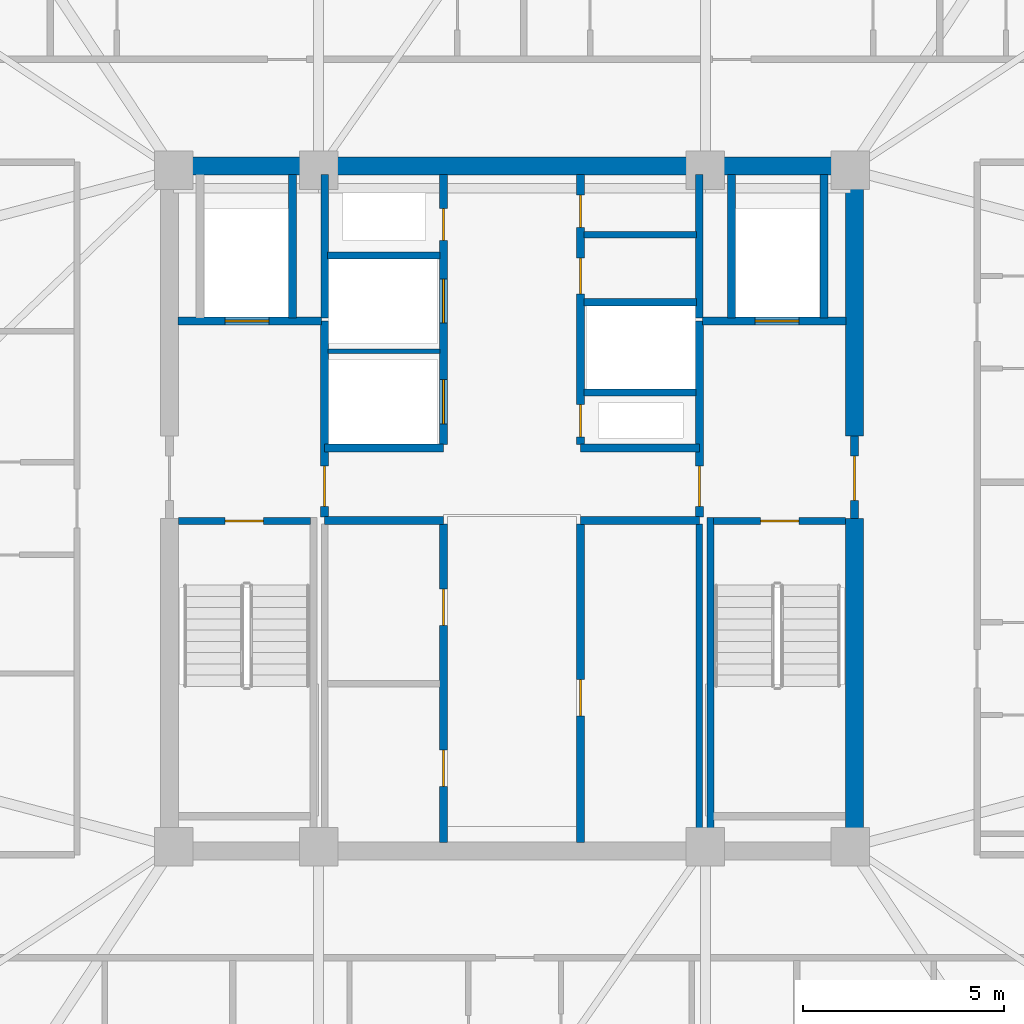
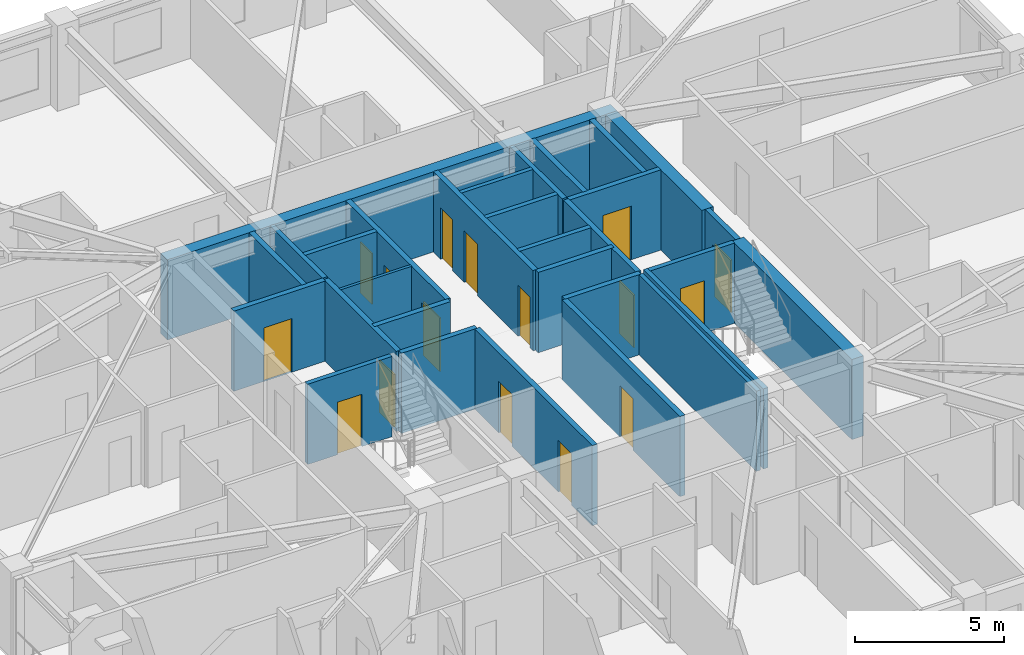
# One storey, part 9 of 16: 30 walls, 16 doors, 16 openings.
"""IFC4 building model written with IfcOpenShell, lengths in metres."""

from ifc_helpers import new_model, si_unit, direction, frame, frame_2d, origin, place, context, subcontext, project, spatial, rectangle, extrude, material, layer, layer_set, type_object, element, fill, save


model = new_model("IFC4")

# Units and contexts
model_context = context("Model", 3, precision=1e-05, world=origin(), true_north=direction((0.0, 1.0)))
body_context = subcontext(model_context, "Body", "Model", "MODEL_VIEW")
ifc_project = project(units=[si_unit("LENGTHUNIT", "METRE"), si_unit("AREAUNIT", "SQUARE_METRE"), si_unit("VOLUMEUNIT", "CUBIC_METRE"), si_unit("PLANEANGLEUNIT", "RADIAN"), si_unit("MASSUNIT", "GRAM", prefix="KILO")], contexts=[model_context])

# Site, building, storey
site_placement = place(None, origin())
site = spatial("IfcSite", under=ifc_project, at=site_placement, CompositionType="ELEMENT")
building_placement = place(site_placement, origin())
building = spatial("IfcBuilding", under=site, at=building_placement, Name="Cairnveth Concourse Tower", CompositionType="ELEMENT")
storey_placement = place(building_placement, frame((0.0, 0.0, 255.0)))
storey = spatial("IfcBuildingStorey", under=building, at=storey_placement, Name="L70", CompositionType="ELEMENT", Elevation=255.0)

# Walls
ifc_material_1 = material(Name="Gypsum Plasterboard Partition", Category="gypsum")
ifc_layer_1 = layer(ifc_material_1, 0.159912109375)
ifc_layer_set_1 = layer_set([ifc_layer_1], Name="Gypsum Plasterboard Partition")
wall_type_1 = type_object("IfcWallType", Name="ACOUSTIC PARTY WALL 180", PredefinedType="PARTITIONING", material=ifc_layer_set_1)
wall_1_placement = place(storey_placement, frame((56.64990234375, 30.7099609375, 0.0), z_axis=(0.0, 0.0, 1.0), x_axis=(0.0, 1.0, 0.0)))
element("IfcWall", 1, at=wall_1_placement, inside=storey, type_object=wall_type_1, Name="Interior Wall IW-L70-027", PredefinedType="PARTITIONING", context=body_context, shape_type="SweptSolid", body=[
    extrude(rectangle(XDim=7.905029296875, YDim=0.159912109375, at=frame_2d((3.95263671875, 0.0))), origin(), (0.0, 0.0, 1.0), 3.2900390625),
])
wall_2_placement = place(storey_placement, frame((53.784912109375, 45.800048828125, 0.0), z_axis=(0.0, 0.0, 1.0), x_axis=(1.0, 0.0, 0.0)))
element("IfcWall", 2, at=wall_2_placement, inside=storey, type_object=wall_type_1, Name="Interior Wall IW-L70-034", PredefinedType="PARTITIONING", context=body_context, shape_type="SweptSolid", body=[
    extrude(rectangle(XDim=2.7900390625, YDim=0.159912109375, at=frame_2d((1.39501953125, 0.0))), origin(), (0.0, 0.0, 1.0), 3.2900390625),
])
ifc_material_2 = material(Name="Concrete N65 (65 MPa)", Category="concrete")
ifc_layer_2 = layer(ifc_material_2, 0.449951171875)
ifc_layer_set_2 = layer_set([ifc_layer_2], Name="Concrete N65 (65 MPa)")
wall_type_2 = type_object("IfcWallType", Name="CORE SHEAR WALL 450", PredefinedType="SHEAR", material=ifc_layer_set_2)
wall_3_placement = place(storey_placement, frame((43.27490234375, 47.5, 0.0), z_axis=(0.0, 0.0, 1.0), x_axis=(1.0, 0.0, 0.0)))
element("IfcWall", 3, at=wall_3_placement, inside=storey, type_object=wall_type_2, Name="Core North Shear Wall L70", PredefinedType="SHEAR", context=body_context, shape_type="SweptSolid", body=[
    extrude(rectangle(XDim=17.4501953125, YDim=0.449951171875, at=frame_2d((8.72509765625, 0.0))), origin(), (0.0, 0.0, 1.0), 3.2900390625),
])
wall_4_placement = place(storey_placement, frame((60.5, 30.715087890625, 0.0), z_axis=(0.0, 0.0, 1.0), x_axis=(0.0, 1.0, 0.0)))
element("IfcWall", 4, at=wall_4_placement, inside=storey, type_object=wall_type_2, Name="Core East Shear Wall S L70", PredefinedType="SHEAR", context=body_context, shape_type="SweptSolid", body=[
    extrude(rectangle(XDim=8.034912109375, YDim=0.449951171875, at=frame_2d((4.017578125, 0.0))), origin(), (0.0, 0.0, 1.0), 3.2900390625),
])
wall_5_placement = place(storey_placement, frame((60.5, 40.800048828125, 0.0), z_axis=(0.0, 0.0, 1.0), x_axis=(0.0, 1.0, 0.0)))
element("IfcWall", 5, at=wall_5_placement, inside=storey, type_object=wall_type_2, Name="Core East Shear Wall N L70", PredefinedType="SHEAR", context=body_context, shape_type="SweptSolid", body=[
    extrude(rectangle(XDim=6.48486328125, YDim=0.449951171875, at=frame_2d((3.242431640625, 0.0))), origin(), (0.0, 0.0, 1.0), 3.2900390625),
])
ifc_material_3 = material(Name="Concrete N50 (50 MPa)", Category="concrete")
ifc_layer_3 = layer(ifc_material_3, 0.179931640625)
ifc_layer_set_3 = layer_set([ifc_layer_3], Name="Concrete N50 (50 MPa)")
wall_type_3 = type_object("IfcWallType", Name="FIRE SHAFT WALL 180", PredefinedType="SOLIDWALL", material=ifc_layer_set_3)
wall_6_placement = place(storey_placement, frame((47.35009765625, 43.735107421875, 0.0), z_axis=(0.0, 0.0, 1.0), x_axis=(0.0, 1.0, 0.0)))
element("IfcWall", 6, at=wall_6_placement, inside=storey, type_object=wall_type_3, Name="Interior Wall IW-L70-028", PredefinedType="SOLIDWALL", context=body_context, shape_type="SweptSolid", body=[
    extrude(rectangle(XDim=3.554931640625, YDim=0.179931640625, at=frame_2d((1.77734375, 0.0))), origin(), (0.0, 0.0, 1.0), 3.2900390625),
])
wall_7_placement = place(storey_placement, frame((47.425048828125, 45.280029296875, 0.0), z_axis=(0.0, 0.0, 1.0), x_axis=(1.0, 0.0, 0.0)))
element("IfcWall", 7, at=wall_7_placement, inside=storey, type_object=wall_type_3, Name="Interior Wall IW-L70-030", PredefinedType="SOLIDWALL", context=body_context, shape_type="SweptSolid", body=[
    extrude(rectangle(XDim=2.7900390625, YDim=0.179931640625, at=frame_2d((1.39501953125, 0.0))), origin(), (0.0, 0.0, 1.0), 3.2900390625),
])
wall_8_placement = place(storey_placement, frame((56.64990234375, 43.735107421875, 0.0), z_axis=(0.0, 0.0, 1.0), x_axis=(0.0, 1.0, 0.0)))
element("IfcWall", 8, at=wall_8_placement, inside=storey, type_object=wall_type_3, Name="Interior Wall IW-L70-031", PredefinedType="SOLIDWALL", context=body_context, shape_type="SweptSolid", body=[
    extrude(rectangle(XDim=3.554931640625, YDim=0.179931640625, at=frame_2d((1.77734375, 0.0))), origin(), (0.0, 0.0, 1.0), 3.2900390625),
])
wall_9_placement = place(storey_placement, frame((53.784912109375, 41.8798828125, 0.0), z_axis=(0.0, 0.0, 1.0), x_axis=(1.0, 0.0, 0.0)))
element("IfcWall", 9, at=wall_9_placement, inside=storey, type_object=wall_type_3, Name="Interior Wall IW-L70-032", PredefinedType="SOLIDWALL", context=body_context, shape_type="SweptSolid", body=[
    extrude(rectangle(XDim=2.780029296875, YDim=0.179931640625, at=frame_2d((1.39013671875, 0.0))), origin(), (0.0, 0.0, 1.0), 3.2900390625),
])
wall_10_placement = place(storey_placement, frame((53.784912109375, 44.1201171875, 0.0), z_axis=(0.0, 0.0, 1.0), x_axis=(1.0, 0.0, 0.0)))
element("IfcWall", 10, at=wall_10_placement, inside=storey, type_object=wall_type_3, Name="Interior Wall IW-L70-033", PredefinedType="SOLIDWALL", context=body_context, shape_type="SweptSolid", body=[
    extrude(rectangle(XDim=2.7900390625, YDim=0.179931640625, at=frame_2d((1.39501953125, 0.0))), origin(), (0.0, 0.0, 1.0), 3.2900390625),
])

# Wall, opening, door
wall_11_placement = place(storey_placement, frame((43.715087890625, 38.68994140625, 0.0), z_axis=(0.0, 0.0, 1.0), x_axis=(1.0, 0.0, 0.0)))
wall_11 = element("IfcWall", 11, at=wall_11_placement, inside=storey, type_object=wall_type_3, Name="Stair ST-1 Shaft Wall NEAR L70", PredefinedType="SOLIDWALL", context=body_context, shape_type="SweptSolid", body=[
    extrude(rectangle(XDim=3.280029296875, YDim=0.179931640625, at=frame_2d((1.64013671875, 0.0))), origin(), (0.0, 0.0, 1.0), 3.2900390625),
])
opening_1_placement = place(wall_11_placement, frame((1.1650390625, 0.0, 0.0)))
opening_1 = element("IfcOpeningElement", 12, at=opening_1_placement, cuts=wall_11, Name="Opening ID12", PredefinedType="OPENING", context=body_context, shape_type="SweptSolid", body=[
    extrude(rectangle(XDim=0.949951171875, YDim=2.14990234375, at=frame_2d((0.47509765625, 1.074951171875))), frame((0.0, 0.099853515625, 0.0), z_axis=(0.0, -1.0, 0.0), x_axis=(1.0, 0.0, 0.0)), (0.0, 0.0, 1.0), 0.199951171875),
])
ifc_material_4 = material(Name="Steel Grade 350", Category="steel")
door_type_1 = type_object("IfcDoorType", Name="FIRE STAIR DOOR 950X2150", OperationType="NOTDEFINED", PredefinedType="DOOR", material=ifc_material_4)
door_1_placement = place(opening_1_placement, origin())
door_1 = element("IfcDoor", 13, at=door_1_placement, inside=storey, type_object=door_type_1, Name="Stair ST-1 Fire Door L70", OperationType="SINGLE_SWING_LEFT", OverallHeight=2.14990234375, OverallWidth=0.949951171875, PredefinedType="DOOR", context=body_context, shape_type="SweptSolid", body=[
    extrude(rectangle(XDim=0.949951171875, YDim=2.14990234375, at=frame_2d((0.47509765625, 1.074951171875))), frame((0.0, 0.02490234375, 0.0), z_axis=(0.0, -1.0, 0.0), x_axis=(1.0, 0.0, 0.0)), (0.0, 0.0, 1.0), 0.050048828125),
])
fill(opening_1, door_1)

wall_12_placement = place(storey_placement, frame((57.0048828125, 38.68994140625, 0.0), z_axis=(0.0, 0.0, 1.0), x_axis=(1.0, 0.0, 0.0)))
wall_12 = element("IfcWall", 14, at=wall_12_placement, inside=storey, type_object=wall_type_3, Name="Stair ST-2 Shaft Wall NEAR L70", PredefinedType="SOLIDWALL", context=body_context, shape_type="SweptSolid", body=[
    extrude(rectangle(XDim=3.280029296875, YDim=0.179931640625, at=frame_2d((1.64013671875, 0.0))), origin(), (0.0, 0.0, 1.0), 3.2900390625),
])
opening_2_placement = place(wall_12_placement, frame((1.1650390625, 0.0, 0.0)))
opening_2 = element("IfcOpeningElement", 15, at=opening_2_placement, cuts=wall_12, Name="Opening ID12", PredefinedType="OPENING", context=body_context, shape_type="SweptSolid", body=[
    extrude(rectangle(XDim=0.949951171875, YDim=2.14990234375, at=frame_2d((0.47509765625, 1.074951171875))), frame((0.0, 0.099853515625, 0.0), z_axis=(0.0, -1.0, 0.0), x_axis=(1.0, 0.0, 0.0)), (0.0, 0.0, 1.0), 0.199951171875),
])
door_2_placement = place(opening_2_placement, origin())
door_2 = element("IfcDoor", 16, at=door_2_placement, inside=storey, type_object=door_type_1, Name="Stair ST-2 Fire Door L70", OperationType="SINGLE_SWING_RIGHT", OverallHeight=2.14990234375, OverallWidth=0.949951171875, PredefinedType="DOOR", context=body_context, shape_type="SweptSolid", body=[
    extrude(rectangle(XDim=0.949951171875, YDim=2.14990234375, at=frame_2d((0.47509765625, 1.074951171875))), frame((0.0, 0.02490234375, 0.0), z_axis=(0.0, -1.0, 0.0), x_axis=(1.0, 0.0, 0.0)), (0.0, 0.0, 1.0), 0.050048828125),
])
fill(opening_2, door_2)

# Walls
wall_13_placement = place(storey_placement, frame((56.929931640625, 38.780029296875, 0.0), z_axis=(0.0, 0.0, 1.0), x_axis=(0.0, -1.0, 0.0)))
element("IfcWall", 17, at=wall_13_placement, inside=storey, type_object=wall_type_3, Name="Stair ST-2 Shaft Wall LEFT L70", PredefinedType="SOLIDWALL", context=body_context, shape_type="SweptSolid", body=[
    extrude(rectangle(XDim=8.067138671875, YDim=0.179931640625, at=frame_2d((4.03369140625, 0.0))), origin(), (0.0, 0.0, 1.0), 3.2900390625),
])
ifc_layer_4 = layer(ifc_material_3, 0.199951171875)
ifc_layer_set_4 = layer_set([ifc_layer_4], Name="Concrete N50 (50 MPa)")
wall_type_4 = type_object("IfcWallType", Name="FIRE SHAFT WALL 200", PredefinedType="SOLIDWALL", material=ifc_layer_set_4)
for number, where, z_axis, x_axis, name in (
    (18, (47.35009765625, 38.699951171875, 0.0), (0.0, 0.0, 1.0), (1.0, 0.0, 0.0), "Interior Wall IW-L70-007"),
    (19, (47.35009765625, 40.5, 0.0), (0.0, 0.0, 1.0), (1.0, 0.0, 0.0), "Interior Wall IW-L70-008"),
    (20, (53.699951171875, 38.699951171875, 0.0), (0.0, 0.0, 1.0), (1.0, 0.0, 0.0), "Interior Wall IW-L70-009"),
    (21, (53.699951171875, 40.5, 0.0), (0.0, 0.0, 1.0), (1.0, 0.0, 0.0), "Interior Wall IW-L70-010"),
):
    element("IfcWall", number, at=place(storey_placement, frame(where, z_axis=z_axis, x_axis=x_axis)), inside=storey, type_object=wall_type_4, Name=name, PredefinedType="SOLIDWALL", context=body_context, shape_type="SweptSolid", body=[
        extrude(rectangle(XDim=2.949951171875, YDim=0.199951171875, at=frame_2d((1.47509765625, 0.0))), origin(), (0.0, 0.0, 1.0), 3.2900390625),
    ])

# Wall, openings, doors
wall_14_placement = place(storey_placement, frame((50.300048828125, 30.7099609375, 0.0), z_axis=(0.0, 0.0, 1.0), x_axis=(0.0, 1.0, 0.0)))
wall_14 = element("IfcWall", 22, at=wall_14_placement, inside=storey, type_object=wall_type_4, Name="Interior Wall IW-L70-011", PredefinedType="SOLIDWALL", context=body_context, shape_type="SweptSolid", body=[
    extrude(rectangle(XDim=7.905029296875, YDim=0.199951171875, at=frame_2d((3.95263671875, 0.0))), origin(), (0.0, 0.0, 1.0), 3.2900390625),
])
opening_3_placement = place(wall_14_placement, frame((1.389892578125, 0.0, 0.0)))
opening_3 = element("IfcOpeningElement", 23, at=opening_3_placement, cuts=wall_14, Name="Opening ID26", PredefinedType="OPENING", context=body_context, shape_type="SweptSolid", body=[
    extrude(rectangle(XDim=0.89990234375, YDim=2.1201171875, at=frame_2d((0.449951171875, 1.06005859375))), frame((0.0, 0.10986328125, 0.0), z_axis=(0.0, -1.0, 0.0), x_axis=(1.0, 0.0, 0.0)), (0.0, 0.0, 1.0), 0.219970703125),
])
opening_4_placement = place(wall_14_placement, frame((5.389892578125, 0.0, 0.0)))
opening_4 = element("IfcOpeningElement", 24, at=opening_4_placement, cuts=wall_14, Name="Opening ID26", PredefinedType="OPENING", context=body_context, shape_type="SweptSolid", body=[
    extrude(rectangle(XDim=0.89990234375, YDim=2.1201171875, at=frame_2d((0.449951171875, 1.06005859375))), frame((0.0, 0.10986328125, 0.0), z_axis=(0.0, -1.0, 0.0), x_axis=(1.0, 0.0, 0.0)), (0.0, 0.0, 1.0), 0.219970703125),
])
door_type_2 = type_object("IfcDoorType", Name="CORE TOILET FIRE DOOR 900X2120", OperationType="NOTDEFINED", PredefinedType="DOOR", material=ifc_material_4)
door_3_placement = place(opening_3_placement, origin())
door_3 = element("IfcDoor", 25, at=door_3_placement, inside=storey, type_object=door_type_2, Name="Male WC Door L70", OperationType="SINGLE_SWING_LEFT", OverallHeight=2.1201171875, OverallWidth=0.89990234375, PredefinedType="DOOR", context=body_context, shape_type="SweptSolid", body=[
    extrude(rectangle(XDim=0.89990234375, YDim=2.1201171875, at=frame_2d((0.449951171875, 1.06005859375))), frame((0.0, 0.02490234375, 0.0), z_axis=(0.0, -1.0, 0.0), x_axis=(1.0, 0.0, 0.0)), (0.0, 0.0, 1.0), 0.050048828125),
])
fill(opening_3, door_3)
door_4_placement = place(opening_4_placement, origin())
door_4 = element("IfcDoor", 26, at=door_4_placement, inside=storey, type_object=door_type_2, Name="Female WC Door L70", OperationType="SINGLE_SWING_RIGHT", OverallHeight=2.1201171875, OverallWidth=0.89990234375, PredefinedType="DOOR", context=body_context, shape_type="SweptSolid", body=[
    extrude(rectangle(XDim=0.89990234375, YDim=2.1201171875, at=frame_2d((0.449951171875, 1.06005859375))), frame((0.0, 0.02490234375, 0.0), z_axis=(0.0, -1.0, 0.0), x_axis=(1.0, 0.0, 0.0)), (0.0, 0.0, 1.0), 0.050048828125),
])
fill(opening_4, door_4)

# Wall, opening, door
wall_15_placement = place(storey_placement, frame((53.699951171875, 30.7099609375, 0.0), z_axis=(0.0, 0.0, 1.0), x_axis=(0.0, 1.0, 0.0)))
wall_15 = element("IfcWall", 27, at=wall_15_placement, inside=storey, type_object=wall_type_4, Name="Interior Wall IW-L70-012", PredefinedType="SOLIDWALL", context=body_context, shape_type="SweptSolid", body=[
    extrude(rectangle(XDim=7.905029296875, YDim=0.199951171875, at=frame_2d((3.95263671875, 0.0))), origin(), (0.0, 0.0, 1.0), 3.2900390625),
])
opening_5_placement = place(wall_15_placement, frame((3.139892578125, 0.0, 0.0)))
opening_5 = element("IfcOpeningElement", 28, at=opening_5_placement, cuts=wall_15, Name="Opening ID16", PredefinedType="OPENING", context=body_context, shape_type="SweptSolid", body=[
    extrude(rectangle(XDim=0.89990234375, YDim=2.1201171875, at=frame_2d((0.449951171875, 1.06005859375))), frame((0.0, 0.10986328125, 0.0), z_axis=(0.0, -1.0, 0.0), x_axis=(1.0, 0.0, 0.0)), (0.0, 0.0, 1.0), 0.219970703125),
])
door_type_3 = type_object("IfcDoorType", Name="CORE SERVICE DOOR 900X2100", OperationType="NOTDEFINED", PredefinedType="DOOR", material=ifc_material_4)
door_5_placement = place(opening_5_placement, origin())
door_5 = element("IfcDoor", 29, at=door_5_placement, inside=storey, type_object=door_type_3, Name="Sky Pantry Door L70", OperationType="SINGLE_SWING_LEFT", OverallHeight=2.1201171875, OverallWidth=0.89990234375, PredefinedType="DOOR", context=body_context, shape_type="SweptSolid", body=[
    extrude(rectangle(XDim=0.89990234375, YDim=2.1201171875, at=frame_2d((0.449951171875, 1.06005859375))), frame((0.0, 0.02490234375, 0.0), z_axis=(0.0, -1.0, 0.0), x_axis=(1.0, 0.0, 0.0)), (0.0, 0.0, 1.0), 0.050048828125),
])
fill(opening_5, door_5)

# Wall, openings, doors
wall_16_placement = place(storey_placement, frame((50.300048828125, 40.5849609375, 0.0), z_axis=(0.0, 0.0, 1.0), x_axis=(0.0, 1.0, 0.0)))
wall_16 = element("IfcWall", 30, at=wall_16_placement, inside=storey, type_object=wall_type_4, Name="Interior Wall IW-L70-013", PredefinedType="SOLIDWALL", context=body_context, shape_type="SweptSolid", body=[
    extrude(rectangle(XDim=6.705078125, YDim=0.199951171875, at=frame_2d((3.3525390625, 0.0))), origin(), (0.0, 0.0, 1.0), 3.2900390625),
])
opening_6_placement = place(wall_16_placement, frame((0.514892578125, 0.0, 0.0)))
opening_6 = element("IfcOpeningElement", 31, at=opening_6_placement, cuts=wall_16, Name="Opening LD-1", PredefinedType="OPENING", context=body_context, shape_type="SweptSolid", body=[
    extrude(rectangle(XDim=1.10009765625, YDim=2.199951171875, at=frame_2d((0.550048828125, 1.10009765625))), frame((0.0, 0.10986328125, 0.0), z_axis=(0.0, -1.0, 0.0), x_axis=(1.0, 0.0, 0.0)), (0.0, 0.0, 1.0), 0.219970703125),
])
opening_7_placement = place(wall_16_placement, frame((3.014892578125, 0.0, 0.0)))
opening_7 = element("IfcOpeningElement", 32, at=opening_7_placement, cuts=wall_16, Name="Opening LD-1", PredefinedType="OPENING", context=body_context, shape_type="SweptSolid", body=[
    extrude(rectangle(XDim=1.10009765625, YDim=2.199951171875, at=frame_2d((0.550048828125, 1.10009765625))), frame((0.0, 0.10986328125, 0.0), z_axis=(0.0, -1.0, 0.0), x_axis=(1.0, 0.0, 0.0)), (0.0, 0.0, 1.0), 0.219970703125),
])
opening_8_placement = place(wall_16_placement, frame((5.06494140625, 0.0, 0.0)))
opening_8 = element("IfcOpeningElement", 33, at=opening_8_placement, cuts=wall_16, Name="Opening ID24", PredefinedType="OPENING", context=body_context, shape_type="SweptSolid", body=[
    extrude(rectangle(XDim=0.800048828125, YDim=2.080078125, at=frame_2d((0.39990234375, 1.0400390625))), frame((0.0, 0.10986328125, 0.0), z_axis=(0.0, -1.0, 0.0), x_axis=(1.0, 0.0, 0.0)), (0.0, 0.0, 1.0), 0.219970703125),
])
ifc_material_5 = material(Name="Architectural Bronze Anodised Aluminium 6063-T6", Category="aluminium")
door_type_4 = type_object("IfcDoorType", Name="LIFT LANDING DOOR 1100X2200", OperationType="SLIDING_TO_LEFT", PredefinedType="DOOR", material=ifc_material_5)
door_6_placement = place(opening_6_placement, origin())
door_6 = element("IfcDoor", 34, at=door_6_placement, inside=storey, type_object=door_type_4, Name="Lift PL7 Landing Door L70", OperationType="SLIDING_TO_LEFT", OverallHeight=2.199951171875, OverallWidth=1.10009765625, PredefinedType="DOOR", context=body_context, shape_type="SweptSolid", body=[
    extrude(rectangle(XDim=1.10009765625, YDim=2.199951171875, at=frame_2d((0.550048828125, 1.10009765625))), frame((0.0, 0.02490234375, 0.0), z_axis=(0.0, -1.0, 0.0), x_axis=(1.0, 0.0, 0.0)), (0.0, 0.0, 1.0), 0.050048828125),
])
fill(opening_6, door_6)
door_7_placement = place(opening_7_placement, origin())
door_7 = element("IfcDoor", 35, at=door_7_placement, inside=storey, type_object=door_type_4, Name="Lift PL8 Landing Door L70", OperationType="SLIDING_TO_LEFT", OverallHeight=2.199951171875, OverallWidth=1.10009765625, PredefinedType="DOOR", context=body_context, shape_type="SweptSolid", body=[
    extrude(rectangle(XDim=1.10009765625, YDim=2.199951171875, at=frame_2d((0.550048828125, 1.10009765625))), frame((0.0, 0.02490234375, 0.0), z_axis=(0.0, -1.0, 0.0), x_axis=(1.0, 0.0, 0.0)), (0.0, 0.0, 1.0), 0.050048828125),
])
fill(opening_7, door_7)
door_type_5 = type_object("IfcDoorType", Name="RISER ACCESS DOOR 800X2100", OperationType="NOTDEFINED", PredefinedType="DOOR", material=ifc_material_4)
door_8_placement = place(opening_8_placement, origin())
door_8 = element("IfcDoor", 36, at=door_8_placement, inside=storey, type_object=door_type_5, Name="NW Electrical Riser Access Door L70", OperationType="SINGLE_SWING_RIGHT", OverallHeight=2.080078125, OverallWidth=0.800048828125, PredefinedType="DOOR", context=body_context, shape_type="SweptSolid", body=[
    extrude(rectangle(XDim=0.800048828125, YDim=2.080078125, at=frame_2d((0.39990234375, 1.0400390625))), frame((0.0, 0.02490234375, 0.0), z_axis=(0.0, -1.0, 0.0), x_axis=(1.0, 0.0, 0.0)), (0.0, 0.0, 1.0), 0.050048828125),
])
fill(opening_8, door_8)

wall_17_placement = place(storey_placement, frame((53.699951171875, 40.5849609375, 0.0), z_axis=(0.0, 0.0, 1.0), x_axis=(0.0, 1.0, 0.0)))
wall_17 = element("IfcWall", 37, at=wall_17_placement, inside=storey, type_object=wall_type_4, Name="Interior Wall IW-L70-014", PredefinedType="SOLIDWALL", context=body_context, shape_type="SweptSolid", body=[
    extrude(rectangle(XDim=6.705078125, YDim=0.199951171875, at=frame_2d((3.3525390625, 0.0))), origin(), (0.0, 0.0, 1.0), 3.2900390625),
])
opening_9_placement = place(wall_17_placement, frame((0.195068359375, 0.0, 0.0)))
opening_9 = element("IfcOpeningElement", 38, at=opening_9_placement, cuts=wall_17, Name="Opening ID24", PredefinedType="OPENING", context=body_context, shape_type="SweptSolid", body=[
    extrude(rectangle(XDim=0.800048828125, YDim=2.080078125, at=frame_2d((0.39990234375, 1.0400390625))), frame((0.0, 0.10986328125, 0.0), z_axis=(0.0, -1.0, 0.0), x_axis=(1.0, 0.0, 0.0)), (0.0, 0.0, 1.0), 0.219970703125),
])
opening_10_placement = place(wall_17_placement, frame((3.735107421875, 0.0, 0.0)))
opening_10 = element("IfcOpeningElement", 39, at=opening_10_placement, cuts=wall_17, Name="Opening ID26", PredefinedType="OPENING", context=body_context, shape_type="SweptSolid", body=[
    extrude(rectangle(XDim=0.89990234375, YDim=2.1201171875, at=frame_2d((0.449951171875, 1.06005859375))), frame((0.0, 0.10986328125, 0.0), z_axis=(0.0, -1.0, 0.0), x_axis=(1.0, 0.0, 0.0)), (0.0, 0.0, 1.0), 0.219970703125),
])
opening_11_placement = place(wall_17_placement, frame((5.39501953125, 0.0, 0.0)))
opening_11 = element("IfcOpeningElement", 40, at=opening_11_placement, cuts=wall_17, Name="Opening ID23", PredefinedType="OPENING", context=body_context, shape_type="SweptSolid", body=[
    extrude(rectangle(XDim=0.800048828125, YDim=2.10009765625, at=frame_2d((0.39990234375, 1.050048828125))), frame((0.0, 0.10986328125, 0.0), z_axis=(0.0, -1.0, 0.0), x_axis=(1.0, 0.0, 0.0)), (0.0, 0.0, 1.0), 0.219970703125),
])
door_type_6 = type_object("IfcDoorType", Name="CORE SERVICE DOOR 800X2100", OperationType="NOTDEFINED", PredefinedType="DOOR", material=ifc_material_4)
door_9_placement = place(opening_11_placement, origin())
door_9 = element("IfcDoor", 41, at=door_9_placement, inside=storey, type_object=door_type_6, Name="Core NE Cleaners Door L70", OperationType="SINGLE_SWING_LEFT", OverallHeight=2.10009765625, OverallWidth=0.800048828125, PredefinedType="DOOR", context=body_context, shape_type="SweptSolid", body=[
    extrude(rectangle(XDim=0.800048828125, YDim=2.10009765625, at=frame_2d((0.39990234375, 1.050048828125))), frame((0.0, 0.02490234375, 0.0), z_axis=(0.0, -1.0, 0.0), x_axis=(1.0, 0.0, 0.0)), (0.0, 0.0, 1.0), 0.050048828125),
])
fill(opening_11, door_9)
door_10_placement = place(opening_10_placement, origin())
door_10 = element("IfcDoor", 42, at=door_10_placement, inside=storey, type_object=door_type_2, Name="Core NE Unisex WC Door L70", OperationType="SINGLE_SWING_RIGHT", OverallHeight=2.1201171875, OverallWidth=0.89990234375, PredefinedType="DOOR", context=body_context, shape_type="SweptSolid", body=[
    extrude(rectangle(XDim=0.89990234375, YDim=2.1201171875, at=frame_2d((0.449951171875, 1.06005859375))), frame((0.0, 0.02490234375, 0.0), z_axis=(0.0, -1.0, 0.0), x_axis=(1.0, 0.0, 0.0)), (0.0, 0.0, 1.0), 0.050048828125),
])
fill(opening_10, door_10)
door_11_placement = place(opening_9_placement, origin())
door_11 = element("IfcDoor", 43, at=door_11_placement, inside=storey, type_object=door_type_5, Name="Hydraulic Riser Door L70", OperationType="SINGLE_SWING_LEFT", OverallHeight=2.080078125, OverallWidth=0.800048828125, PredefinedType="DOOR", context=body_context, shape_type="SweptSolid", body=[
    extrude(rectangle(XDim=0.800048828125, YDim=2.080078125, at=frame_2d((0.39990234375, 1.0400390625))), frame((0.0, 0.02490234375, 0.0), z_axis=(0.0, -1.0, 0.0), x_axis=(1.0, 0.0, 0.0)), (0.0, 0.0, 1.0), 0.050048828125),
])
fill(opening_9, door_11)

# Wall, opening, door
wall_18_placement = place(storey_placement, frame((47.35009765625, 38.784912109375, 0.0), z_axis=(0.0, 0.0, 1.0), x_axis=(0.0, 1.0, 0.0)))
wall_18 = element("IfcWall", 44, at=wall_18_placement, inside=storey, type_object=wall_type_4, Name="Interior Wall IW-L70-016", PredefinedType="SOLIDWALL", context=body_context, shape_type="SweptSolid", body=[
    extrude(rectangle(XDim=4.864990234375, YDim=0.199951171875, at=frame_2d((2.4326171875, 0.0))), origin(), (0.0, 0.0, 1.0), 3.2900390625),
])
opening_12_placement = place(wall_18_placement, frame((0.264892578125, 0.0, 0.0)))
opening_12 = element("IfcOpeningElement", 45, at=opening_12_placement, cuts=wall_18, Name="Opening ID07", PredefinedType="OPENING", context=body_context, shape_type="SweptSolid", body=[
    extrude(rectangle(XDim=1.0, YDim=2.14990234375, at=frame_2d((0.5, 1.074951171875))), frame((0.0, 0.10986328125, 0.0), z_axis=(0.0, -1.0, 0.0), x_axis=(1.0, 0.0, 0.0)), (0.0, 0.0, 1.0), 0.219970703125),
])
door_type_7 = type_object("IfcDoorType", Name="FIRE CORRIDOR DOOR 1000X2150", OperationType="NOTDEFINED", PredefinedType="DOOR", material=ifc_material_4)
door_12_placement = place(opening_12_placement, origin())
door_12 = element("IfcDoor", 46, at=door_12_placement, inside=storey, type_object=door_type_7, Name="FF Lobby West to Lift Lobby Door L70", OperationType="SINGLE_SWING_RIGHT", OverallHeight=2.14990234375, OverallWidth=1.0, PredefinedType="DOOR", context=body_context, shape_type="SweptSolid", body=[
    extrude(rectangle(XDim=1.0, YDim=2.14990234375, at=frame_2d((0.5, 1.074951171875))), frame((0.0, 0.02490234375, 0.0), z_axis=(0.0, -1.0, 0.0), x_axis=(1.0, 0.0, 0.0)), (0.0, 0.0, 1.0), 0.050048828125),
])
fill(opening_12, door_12)

wall_19_placement = place(storey_placement, frame((43.7099609375, 43.64990234375, 0.0), z_axis=(0.0, 0.0, 1.0), x_axis=(1.0, 0.0, 0.0)))
wall_19 = element("IfcWall", 47, at=wall_19_placement, inside=storey, type_object=wall_type_4, Name="Interior Wall IW-L70-017", PredefinedType="SOLIDWALL", context=body_context, shape_type="SweptSolid", body=[
    extrude(rectangle(XDim=3.554931640625, YDim=0.199951171875, at=frame_2d((1.77734375, 0.0))), origin(), (0.0, 0.0, 1.0), 3.2900390625),
])
opening_13_placement = place(wall_19_placement, frame((1.159912109375, 0.0, 0.0)))
opening_13 = element("IfcOpeningElement", 48, at=opening_13_placement, cuts=wall_19, Name="Opening LD-1", PredefinedType="OPENING", context=body_context, shape_type="SweptSolid", body=[
    extrude(rectangle(XDim=1.10009765625, YDim=2.199951171875, at=frame_2d((0.550048828125, 1.10009765625))), frame((0.0, 0.10986328125, 0.0), z_axis=(0.0, -1.0, 0.0), x_axis=(1.0, 0.0, 0.0)), (0.0, 0.0, 1.0), 0.219970703125),
])
door_13_placement = place(opening_13_placement, origin())
door_13 = element("IfcDoor", 49, at=door_13_placement, inside=storey, type_object=door_type_4, Name="Lift FFL1 Landing Door L70", OperationType="SLIDING_TO_LEFT", OverallHeight=2.199951171875, OverallWidth=1.10009765625, PredefinedType="DOOR", context=body_context, shape_type="SweptSolid", body=[
    extrude(rectangle(XDim=1.10009765625, YDim=2.199951171875, at=frame_2d((0.550048828125, 1.10009765625))), frame((0.0, 0.02490234375, 0.0), z_axis=(0.0, -1.0, 0.0), x_axis=(1.0, 0.0, 0.0)), (0.0, 0.0, 1.0), 0.050048828125),
])
fill(opening_13, door_13)

# Wall
wall_20_placement = place(storey_placement, frame((46.550048828125, 43.735107421875, 0.0), z_axis=(0.0, 0.0, 1.0), x_axis=(0.0, 1.0, 0.0)))
element("IfcWall", 50, at=wall_20_placement, inside=storey, type_object=wall_type_4, Name="Interior Wall IW-L70-018", PredefinedType="SOLIDWALL", context=body_context, shape_type="SweptSolid", body=[
    extrude(rectangle(XDim=3.554931640625, YDim=0.199951171875, at=frame_2d((1.77734375, 0.0))), origin(), (0.0, 0.0, 1.0), 3.2900390625),
])

# Wall, opening, door
wall_21_placement = place(storey_placement, frame((60.5, 38.75, 0.0), z_axis=(0.0, 0.0, 1.0), x_axis=(0.0, 1.0, 0.0)))
wall_21 = element("IfcWall", 51, at=wall_21_placement, inside=storey, type_object=wall_type_4, Name="Interior Wall IW-L70-020", PredefinedType="SOLIDWALL", context=body_context, shape_type="SweptSolid", body=[
    extrude(rectangle(XDim=2.050048828125, YDim=0.199951171875, at=frame_2d((1.02490234375, 0.0))), origin(), (0.0, 0.0, 1.0), 3.2900390625),
])
opening_14_placement = place(wall_21_placement, frame((0.449951171875, 0.0, 0.0)))
opening_14 = element("IfcOpeningElement", 52, at=opening_14_placement, cuts=wall_21, Name="Opening ID06", PredefinedType="OPENING", context=body_context, shape_type="SweptSolid", body=[
    extrude(rectangle(XDim=1.10009765625, YDim=2.14990234375, at=frame_2d((0.550048828125, 1.074951171875))), frame((0.0, 0.10986328125, 0.0), z_axis=(0.0, -1.0, 0.0), x_axis=(1.0, 0.0, 0.0)), (0.0, 0.0, 1.0), 0.219970703125),
])
door_type_8 = type_object("IfcDoorType", Name="FIRE CORRIDOR DOOR 1100X2150", OperationType="NOTDEFINED", PredefinedType="DOOR", material=ifc_material_4)
door_14_placement = place(opening_14_placement, origin())
door_14 = element("IfcDoor", 53, at=door_14_placement, inside=storey, type_object=door_type_8, Name="East Wing to FF Lobby Door L70", OperationType="SINGLE_SWING_RIGHT", OverallHeight=2.14990234375, OverallWidth=1.10009765625, PredefinedType="DOOR", context=body_context, shape_type="SweptSolid", body=[
    extrude(rectangle(XDim=1.10009765625, YDim=2.14990234375, at=frame_2d((0.550048828125, 1.074951171875))), frame((0.0, 0.02490234375, 0.0), z_axis=(0.0, -1.0, 0.0), x_axis=(1.0, 0.0, 0.0)), (0.0, 0.0, 1.0), 0.050048828125),
])
fill(opening_14, door_14)

wall_22_placement = place(storey_placement, frame((56.64990234375, 38.784912109375, 0.0), z_axis=(0.0, 0.0, 1.0), x_axis=(0.0, 1.0, 0.0)))
wall_22 = element("IfcWall", 54, at=wall_22_placement, inside=storey, type_object=wall_type_4, Name="Interior Wall IW-L70-021", PredefinedType="SOLIDWALL", context=body_context, shape_type="SweptSolid", body=[
    extrude(rectangle(XDim=4.864990234375, YDim=0.199951171875, at=frame_2d((2.4326171875, 0.0))), origin(), (0.0, 0.0, 1.0), 3.2900390625),
])
opening_15_placement = place(wall_22_placement, frame((0.264892578125, 0.0, 0.0)))
opening_15 = element("IfcOpeningElement", 55, at=opening_15_placement, cuts=wall_22, Name="Opening ID07", PredefinedType="OPENING", context=body_context, shape_type="SweptSolid", body=[
    extrude(rectangle(XDim=1.0, YDim=2.14990234375, at=frame_2d((0.5, 1.074951171875))), frame((0.0, 0.10986328125, 0.0), z_axis=(0.0, -1.0, 0.0), x_axis=(1.0, 0.0, 0.0)), (0.0, 0.0, 1.0), 0.219970703125),
])
door_15_placement = place(opening_15_placement, origin())
door_15 = element("IfcDoor", 56, at=door_15_placement, inside=storey, type_object=door_type_7, Name="FF Lobby East to Lift Lobby Door L70", OperationType="SINGLE_SWING_LEFT", OverallHeight=2.14990234375, OverallWidth=1.0, PredefinedType="DOOR", context=body_context, shape_type="SweptSolid", body=[
    extrude(rectangle(XDim=1.0, YDim=2.14990234375, at=frame_2d((0.5, 1.074951171875))), frame((0.0, 0.02490234375, 0.0), z_axis=(0.0, -1.0, 0.0), x_axis=(1.0, 0.0, 0.0)), (0.0, 0.0, 1.0), 0.050048828125),
])
fill(opening_15, door_15)

wall_23_placement = place(storey_placement, frame((56.735107421875, 43.64990234375, 0.0), z_axis=(0.0, 0.0, 1.0), x_axis=(1.0, 0.0, 0.0)))
wall_23 = element("IfcWall", 57, at=wall_23_placement, inside=storey, type_object=wall_type_4, Name="Interior Wall IW-L70-022", PredefinedType="SOLIDWALL", context=body_context, shape_type="SweptSolid", body=[
    extrude(rectangle(XDim=3.554931640625, YDim=0.199951171875, at=frame_2d((1.77734375, 0.0))), origin(), (0.0, 0.0, 1.0), 3.2900390625),
])
opening_16_placement = place(wall_23_placement, frame((1.294921875, 0.0, 0.0)))
opening_16 = element("IfcOpeningElement", 58, at=opening_16_placement, cuts=wall_23, Name="Opening LD-1", PredefinedType="OPENING", context=body_context, shape_type="SweptSolid", body=[
    extrude(rectangle(XDim=1.10009765625, YDim=2.199951171875, at=frame_2d((0.550048828125, 1.10009765625))), frame((0.0, 0.10986328125, 0.0), z_axis=(0.0, -1.0, 0.0), x_axis=(1.0, 0.0, 0.0)), (0.0, 0.0, 1.0), 0.219970703125),
])
door_16_placement = place(opening_16_placement, origin())
door_16 = element("IfcDoor", 59, at=door_16_placement, inside=storey, type_object=door_type_4, Name="Lift FFL2 Landing Door L70", OperationType="SLIDING_TO_LEFT", OverallHeight=2.199951171875, OverallWidth=1.10009765625, PredefinedType="DOOR", context=body_context, shape_type="SweptSolid", body=[
    extrude(rectangle(XDim=1.10009765625, YDim=2.199951171875, at=frame_2d((0.550048828125, 1.10009765625))), frame((0.0, 0.02490234375, 0.0), z_axis=(0.0, -1.0, 0.0), x_axis=(1.0, 0.0, 0.0)), (0.0, 0.0, 1.0), 0.050048828125),
])
fill(opening_16, door_16)

# Walls
for number, where, z_axis, x_axis, name in (
    (60, (57.449951171875, 43.735107421875, 0.0), (0.0, 0.0, 1.0), (0.0, 1.0, 0.0), "Interior Wall IW-L70-023"),
    (61, (59.75, 43.735107421875, 0.0), (0.0, 0.0, 1.0), (0.0, 1.0, 0.0), "Interior Wall IW-L70-024"),
):
    element("IfcWall", number, at=place(storey_placement, frame(where, z_axis=z_axis, x_axis=x_axis)), inside=storey, type_object=wall_type_4, Name=name, PredefinedType="SOLIDWALL", context=body_context, shape_type="SweptSolid", body=[
        extrude(rectangle(XDim=3.554931640625, YDim=0.199951171875, at=frame_2d((1.77734375, 0.0))), origin(), (0.0, 0.0, 1.0), 3.2900390625),
    ])
ifc_layer_5 = layer(ifc_material_1, 0.110107421875)
ifc_layer_set_5 = layer_set([ifc_layer_5], Name="Gypsum Plasterboard Partition")
wall_type_5 = type_object("IfcWallType", Name="SHAFT DIVIDER WALL 140", PredefinedType="PARTITIONING", material=ifc_layer_set_5)
wall_24_placement = place(storey_placement, frame((47.43505859375, 42.89990234375, 0.0), z_axis=(0.0, 0.0, 1.0), x_axis=(1.0, 0.0, 0.0)))
element("IfcWall", 62, at=wall_24_placement, inside=storey, type_object=wall_type_5, Name="Interior Wall IW-L70-029", PredefinedType="PARTITIONING", context=body_context, shape_type="SweptSolid", body=[
    extrude(rectangle(XDim=2.780029296875, YDim=0.110107421875, at=frame_2d((1.39013671875, 0.0))), origin(), (0.0, 0.0, 1.0), 3.2900390625),
])

save(model, "model.ifc")
